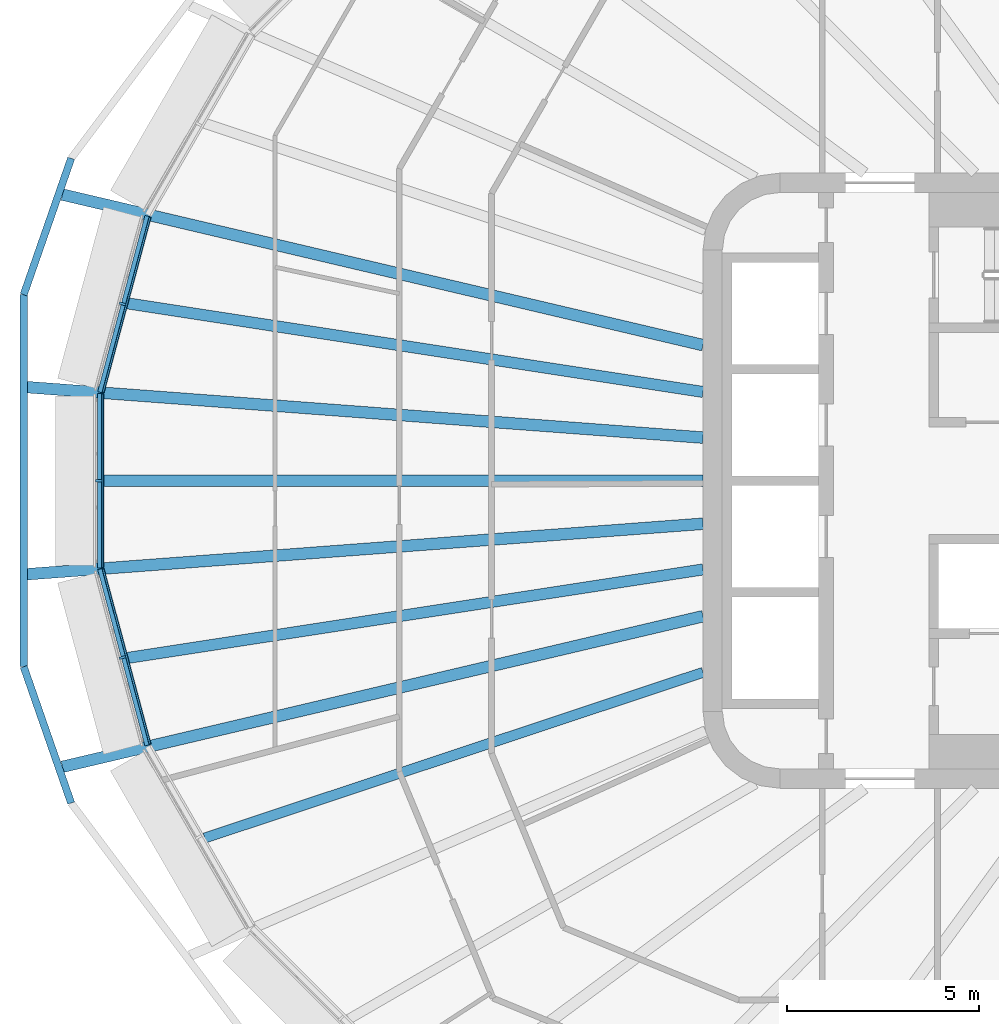
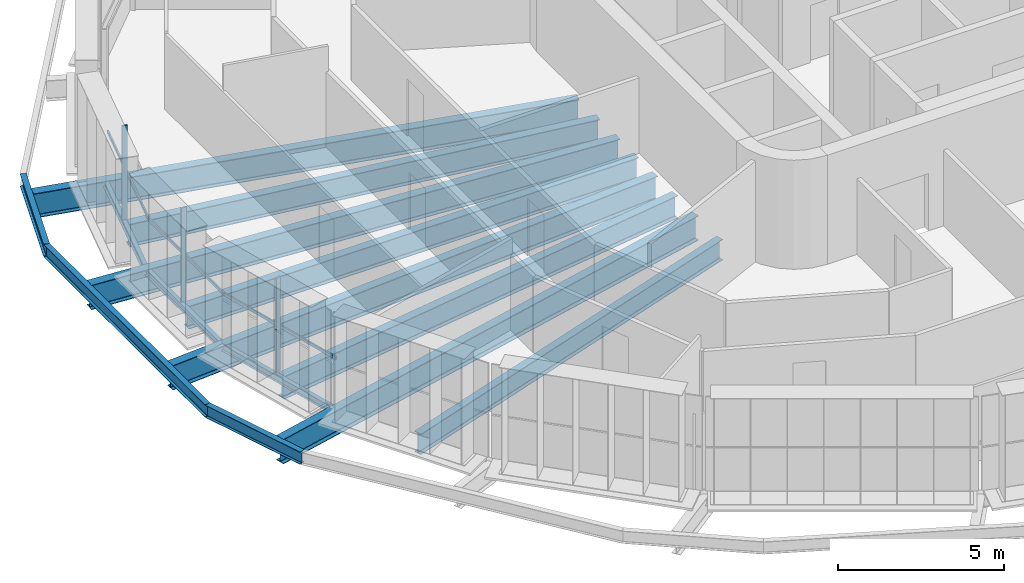
# One storey, part 2 of 21: 14 beams, 6 members, 3 elements without a shape of their own.
"""IFC4 building model written with IfcOpenShell, lengths in metres."""

from ifc_helpers import new_model, si_unit, direction, frame, origin, origin_2d, place, context, subcontext, project, spatial, rectangle, i_section, extrude, material, layer, layer_set, material_profile, profile_set, type_object, element, aggregate, save


model = new_model("IFC4")

# Units and contexts
model_context = context("Model", 3, precision=1e-05, world=origin(), true_north=direction((0.0, 1.0)))
body_context = subcontext(model_context, "Body", "Model", "MODEL_VIEW")
ifc_project = project(units=[si_unit("LENGTHUNIT", "METRE"), si_unit("AREAUNIT", "SQUARE_METRE"), si_unit("VOLUMEUNIT", "CUBIC_METRE"), si_unit("PLANEANGLEUNIT", "RADIAN"), si_unit("MASSUNIT", "GRAM", prefix="KILO")], contexts=[model_context])

# Site, building, storey
site_placement = place(None, origin())
site = spatial("IfcSite", under=ifc_project, at=site_placement, CompositionType="ELEMENT")
building_placement = place(site_placement, origin())
building = spatial("IfcBuilding", under=site, at=building_placement, Name="Sahrelin Media Tower", CompositionType="ELEMENT")
storey_placement = place(building_placement, frame((0.0, 0.0, 193.60009765625)))
storey = spatial("IfcBuildingStorey", under=building, at=storey_placement, Name="L41", CompositionType="ELEMENT", Elevation=193.60009765625)

# Beams
ifc_material_1 = material(Name="Steel S355", Category="steel")
ifc_material_profile_1 = material_profile(ifc_material_1, i_section(OverallWidth=0.14599609375, OverallDepth=0.25146484375, WebThickness=0.006103515625, FlangeThickness=0.008544921875, FilletRadius=0.007568359375, at=origin_2d()), Name="UB 254x146x31")
ifc_profile_set_1 = profile_set([ifc_material_profile_1], Name="Steel S355")
beam_type_1 = type_object("IfcBeamType", Name="Edge beam EB1", PredefinedType="BEAM", material=ifc_profile_set_1)
beam_1_placement = place(storey_placement, frame((-29.445068359375, -6.880615234375, -0.27587890625), z_axis=(-0.258840645059, 0.965920038339, 0.0), x_axis=(-0.965920038339, -0.258840645059, 0.0)))
element("IfcBeam", 1, at=beam_1_placement, inside=storey, type_object=beam_type_1, Name="Edge beam L41-12", PredefinedType="BEAM", context=body_context, shape_type="SweptSolid", body=[
    extrude(i_section(OverallWidth=0.14599609375, OverallDepth=0.25146484375, WebThickness=0.006103515625, FlangeThickness=0.008544921875, FilletRadius=0.007568359375, at=origin_2d()), origin(), (0.0, 0.0, 1.0), 4.746337890625),
])
beam_2_placement = place(storey_placement, frame((-30.67724609375, -2.267578125, -0.27587890625), z_axis=(0.0, 1.0, 0.0), x_axis=(-1.0, 0.0, 0.0)))
element("IfcBeam", 2, at=beam_2_placement, inside=storey, type_object=beam_type_1, Name="Edge beam L41-13", PredefinedType="BEAM", context=body_context, shape_type="SweptSolid", body=[
    extrude(i_section(OverallWidth=0.14599609375, OverallDepth=0.25146484375, WebThickness=0.006103515625, FlangeThickness=0.008544921875, FilletRadius=0.007568359375, at=origin_2d()), origin(), (0.0, 0.0, 1.0), 4.53515625),
])
beam_3_placement = place(storey_placement, frame((-30.673583984375, 2.296142578125, -0.27587890625), z_axis=(0.258840645059, 0.965920038339, 0.0), x_axis=(-0.965920038339, 0.258840645059, 0.0)))
element("IfcBeam", 3, at=beam_3_placement, inside=storey, type_object=beam_type_1, Name="Edge beam L41-14", PredefinedType="BEAM", context=body_context, shape_type="SweptSolid", body=[
    extrude(i_section(OverallWidth=0.14599609375, OverallDepth=0.25146484375, WebThickness=0.006103515625, FlangeThickness=0.008544921875, FilletRadius=0.007568359375, at=origin_2d()), origin(), (0.0, 0.0, 1.0), 4.746337890625),
])

# Curtain wall, member
ifc_material_2 = material(Name="Champagne anodised aluminium 6063-T6", Category="aluminium")
ifc_layer = layer(ifc_material_2, 0.14990234375)
ifc_layer_set = layer_set([ifc_layer], Name="Tower ribbon curtain wall")
curtain_wall_type = type_object("IfcCurtainWallType", Name="Tower ribbon curtain wall", PredefinedType="NOTDEFINED", material=ifc_layer_set)
curtain_wall_1_placement = place(storey_placement, frame((-30.2041015625, 4.627197265625, 0.0), z_axis=(0.0, 0.0, 1.0), x_axis=(1.0, 0.0, 0.0)))
curtain_wall_1 = element("IfcCurtainWall", 4, at=curtain_wall_1_placement, inside=storey, type_object=curtain_wall_type, Name="L41:CW:L41-11", PredefinedType="NOTDEFINED")
ifc_material_profile_2 = material_profile(ifc_material_2, rectangle(XDim=0.06005859375, YDim=0.175048828125, at=origin_2d()), Name="Mullion 60x175")
ifc_profile_set_2 = profile_set([ifc_material_profile_2], Name="Champagne anodised aluminium 6063-T6")
member_type_1 = type_object("IfcMemberType", Name="Mullion 60x175 CW1B", PredefinedType="MULLION", material=ifc_profile_set_2)
member_1_placement = place(storey_placement, frame((-30.100341796875, 4.599365234375, 0.0), z_axis=(0.0, 0.0, 1.0), x_axis=(-0.25882916024, -0.965923115889, 0.0)))
member_1 = element("IfcMember", 5, at=member_1_placement, type_object=member_type_1, Name="L41:CWM:L41-11", PredefinedType="MULLION", context=body_context, shape_type="SweptSolid", body=[
    extrude(rectangle(XDim=0.06005859375, YDim=0.175048828125, at=origin_2d()), origin(), (0.0, 0.0, 1.0), 3.448486328125),
])

curtain_wall_2_placement = place(storey_placement, frame((-30.827392578125, 0.0, 0.0), z_axis=(0.0, 0.0, 1.0), x_axis=(1.0, 0.0, 0.0)))
curtain_wall_2 = element("IfcCurtainWall", 6, at=curtain_wall_2_placement, inside=storey, type_object=curtain_wall_type, Name="L41:CW:L41-12", PredefinedType="NOTDEFINED")
member_2_placement = place(storey_placement, frame((-30.7197265625, 0.0, 0.0), z_axis=(0.0, 0.0, 1.0), x_axis=(0.0, -1.0, 0.0)))
member_2 = element("IfcMember", 7, at=member_2_placement, type_object=member_type_1, Name="L41:CWM:L41-12", PredefinedType="MULLION", context=body_context, shape_type="SweptSolid", body=[
    extrude(rectangle(XDim=0.06005859375, YDim=0.175048828125, at=origin_2d()), origin(), (0.0, 0.0, 1.0), 3.448486328125),
])

curtain_wall_3_placement = place(storey_placement, frame((-30.2041015625, -4.627197265625, 0.0), z_axis=(0.0, 0.0, 1.0), x_axis=(1.0, 0.0, 0.0)))
curtain_wall_3 = element("IfcCurtainWall", 8, at=curtain_wall_3_placement, inside=storey, type_object=curtain_wall_type, Name="L41:CW:L41-13", PredefinedType="NOTDEFINED")
member_3_placement = place(storey_placement, frame((-30.100341796875, -4.599365234375, 0.0), z_axis=(0.0, 0.0, 1.0), x_axis=(0.25882916024, -0.965923115889, 0.0)))
member_3 = element("IfcMember", 9, at=member_3_placement, type_object=member_type_1, Name="L41:CWM:L41-13", PredefinedType="MULLION", context=body_context, shape_type="SweptSolid", body=[
    extrude(rectangle(XDim=0.06005859375, YDim=0.175048828125, at=origin_2d()), origin(), (0.0, 0.0, 1.0), 3.448486328125),
])

# Beams
ifc_material_profile_3 = material_profile(ifc_material_1, i_section(OverallWidth=0.30322265625, OverallDepth=0.903076171875, WebThickness=0.01513671875, FlangeThickness=0.020263671875, FilletRadius=0.01904296875, at=origin_2d()), Name="UB 914x305x201")
ifc_profile_set_3 = profile_set([ifc_material_profile_3], Name="Steel S355")
beam_type_2 = type_object("IfcBeamType", Name="Radial primary beam PB11", PredefinedType="BEAM", material=ifc_profile_set_3)
beam_4_placement = place(storey_placement, frame((-15.0, 3.525390625, -0.6015625), z_axis=(-0.973472324419, 0.228804793635, 0.0), x_axis=(-0.228804793635, -0.973472324419, 0.0)))
element("IfcBeam", 10, at=beam_4_placement, inside=storey, type_object=beam_type_2, Name="Radial beam L41-11", PredefinedType="BEAM", context=body_context, shape_type="SweptSolid", body=[
    extrude(i_section(OverallWidth=0.30322265625, OverallDepth=0.903076171875, WebThickness=0.01513671875, FlangeThickness=0.020263671875, FilletRadius=0.01904296875, at=origin_2d()), origin(), (0.0, 0.0, 1.0), 17.1162109375),
])
for number, where, z_axis, x_axis, name in (
    (11, (-15.0, 1.1201171875, -0.6015625), (-0.997223922817, 0.074461048623, 0.0), (-0.074461048623, -0.997223922817, 0.0), "Radial beam L41-12"),
    (12, (-15.0, -1.1201171875, -0.6015625), (-0.997223922817, -0.074461048623, 0.0), (0.074461048623, -0.997223922817, 0.0), "Radial beam L41-13"),
):
    element("IfcBeam", number, at=place(storey_placement, frame(where, z_axis=z_axis, x_axis=x_axis)), inside=storey, type_object=beam_type_2, Name=name, PredefinedType="BEAM", context=body_context, shape_type="SweptSolid", body=[
        extrude(i_section(OverallWidth=0.30322265625, OverallDepth=0.903076171875, WebThickness=0.01513671875, FlangeThickness=0.020263671875, FilletRadius=0.01904296875, at=origin_2d()), origin(), (0.0, 0.0, 1.0), 17.623291015625),
    ])
beam_5_placement = place(storey_placement, frame((-15.0, -3.525390625, -0.6015625), z_axis=(-0.973472324419, -0.228804793635, 0.0), x_axis=(0.228804793635, -0.973472324419, 0.0)))
element("IfcBeam", 13, at=beam_5_placement, inside=storey, type_object=beam_type_2, Name="Radial beam L41-14", PredefinedType="BEAM", context=body_context, shape_type="SweptSolid", body=[
    extrude(i_section(OverallWidth=0.30322265625, OverallDepth=0.903076171875, WebThickness=0.01513671875, FlangeThickness=0.020263671875, FilletRadius=0.01904296875, at=origin_2d()), origin(), (0.0, 0.0, 1.0), 17.1162109375),
])
ifc_material_profile_4 = material_profile(ifc_material_1, i_section(OverallWidth=0.291748046875, OverallDepth=0.8349609375, WebThickness=0.013916015625, FlangeThickness=0.018798828125, FilletRadius=0.017822265625, at=origin_2d()), Name="UB 838x292x176")
ifc_profile_set_4 = profile_set([ifc_material_profile_4], Name="Steel S355")
beam_type_3 = type_object("IfcBeamType", Name="Radial secondary beam SB10", PredefinedType="BEAM", material=ifc_profile_set_4)
beam_6_placement = place(storey_placement, frame((-15.0, 2.308349609375, -0.567626953125), z_axis=(-0.988366481837, 0.152091083176, 0.0), x_axis=(-0.152091083176, -0.988366481837, 0.0)))
element("IfcBeam", 14, at=beam_6_placement, inside=storey, type_object=beam_type_3, Name="Secondary beam L41-11", PredefinedType="BEAM", context=body_context, shape_type="SweptSolid", body=[
    extrude(i_section(OverallWidth=0.291748046875, OverallDepth=0.8349609375, WebThickness=0.013916015625, FlangeThickness=0.018798828125, FilletRadius=0.017822265625, at=origin_2d()), origin(), (0.0, 0.0, 1.0), 15.1533203125),
])
beam_7_placement = place(storey_placement, frame((-15.0, 0.0, -0.567626953125), z_axis=(-1.0, 0.0, 0.0), x_axis=(0.0, -1.0, 0.0)))
element("IfcBeam", 15, at=beam_7_placement, inside=storey, type_object=beam_type_3, Name="Secondary beam L41-12", PredefinedType="BEAM", context=body_context, shape_type="SweptSolid", body=[
    extrude(i_section(OverallWidth=0.291748046875, OverallDepth=0.8349609375, WebThickness=0.013916015625, FlangeThickness=0.018798828125, FilletRadius=0.017822265625, at=origin_2d()), origin(), (0.0, 0.0, 1.0), 15.604248046875),
])
beam_8_placement = place(storey_placement, frame((-15.0, -2.308349609375, -0.567626953125), z_axis=(-0.988366481837, -0.152091083176, 0.0), x_axis=(0.152091083176, -0.988366481837, 0.0)))
element("IfcBeam", 16, at=beam_8_placement, inside=storey, type_object=beam_type_3, Name="Secondary beam L41-13", PredefinedType="BEAM", context=body_context, shape_type="SweptSolid", body=[
    extrude(i_section(OverallWidth=0.291748046875, OverallDepth=0.8349609375, WebThickness=0.013916015625, FlangeThickness=0.018798828125, FilletRadius=0.017822265625, at=origin_2d()), origin(), (0.0, 0.0, 1.0), 15.1533203125),
])
ifc_material_profile_5 = material_profile(ifc_material_1, i_section(OverallWidth=0.26513671875, OverallDepth=0.75390625, WebThickness=0.0126953125, FlangeThickness=0.017578125, FilletRadius=0.0166015625, at=origin_2d()), Name="UB 762x267x147")
ifc_profile_set_5 = profile_set([ifc_material_profile_5], Name="Steel S355")
beam_type_4 = type_object("IfcBeamType", Name="Radial secondary beam SB9", PredefinedType="BEAM", material=ifc_profile_set_5)
beam_9_placement = place(storey_placement, frame((-15.0, -4.986083984375, -0.527099609375), z_axis=(-0.948949304443, -0.315428625204, 0.0), x_axis=(0.315428625204, -0.948949304443, 0.0)))
element("IfcBeam", 17, at=beam_9_placement, inside=storey, type_object=beam_type_4, Name="Secondary beam L41-14", PredefinedType="BEAM", context=body_context, shape_type="SweptSolid", body=[
    extrude(i_section(OverallWidth=0.26513671875, OverallDepth=0.75390625, WebThickness=0.0126953125, FlangeThickness=0.017578125, FilletRadius=0.0166015625, at=origin_2d()), origin(), (0.0, 0.0, 1.0), 13.657958984375),
])
ifc_material_profile_6 = material_profile(ifc_material_1, i_section(OverallWidth=0.1904296875, OverallDepth=0.45703125, WebThickness=0.009033203125, FlangeThickness=0.014404296875, FilletRadius=0.01025390625, at=origin_2d()), Name="UB 457x191x74")
ifc_profile_set_6 = profile_set([ifc_material_profile_6], Name="Steel S355")
beam_type_5 = type_object("IfcBeamType", Name="Tie chord TC5", PredefinedType="BEAM", material=ifc_profile_set_6)
beam_10_placement = place(storey_placement, frame((-31.434814453125, 8.384033203125, -0.378662109375), z_axis=(-0.328777768926, -0.944407316077, 0.0), x_axis=(0.944407316077, -0.328777768926, 0.0)))
element("IfcBeam", 18, at=beam_10_placement, inside=storey, type_object=beam_type_5, Name="Tie chord L41-11", PredefinedType="BEAM", context=body_context, shape_type="SweptSolid", body=[
    extrude(i_section(OverallWidth=0.1904296875, OverallDepth=0.45703125, WebThickness=0.009033203125, FlangeThickness=0.014404296875, FilletRadius=0.01025390625, at=origin_2d()), origin(), (0.0, 0.0, 1.0), 3.755859375),
])
beam_11_placement = place(storey_placement, frame((-32.669677734375, 4.8369140625, -0.378662109375), z_axis=(0.0, -1.0, 0.0), x_axis=(1.0, 0.0, 0.0)))
element("IfcBeam", 19, at=beam_11_placement, inside=storey, type_object=beam_type_5, Name="Tie chord L41-12", PredefinedType="BEAM", context=body_context, shape_type="SweptSolid", body=[
    extrude(i_section(OverallWidth=0.1904296875, OverallDepth=0.45703125, WebThickness=0.009033203125, FlangeThickness=0.014404296875, FilletRadius=0.01025390625, at=origin_2d()), origin(), (0.0, 0.0, 1.0), 9.673828125),
])
beam_12_placement = place(storey_placement, frame((-32.669677734375, -4.8369140625, -0.378662109375), z_axis=(0.328777768926, -0.944407316077, 0.0), x_axis=(0.944407316077, 0.328777768926, 0.0)))
element("IfcBeam", 20, at=beam_12_placement, inside=storey, type_object=beam_type_5, Name="Tie chord L41-13", PredefinedType="BEAM", context=body_context, shape_type="SweptSolid", body=[
    extrude(i_section(OverallWidth=0.1904296875, OverallDepth=0.45703125, WebThickness=0.009033203125, FlangeThickness=0.014404296875, FilletRadius=0.01025390625, at=origin_2d()), origin(), (0.0, 0.0, 1.0), 3.755859375),
])

# Member
ifc_material_profile_7 = material_profile(ifc_material_2, rectangle(XDim=0.050048828125, YDim=0.110107421875, at=origin_2d()), Name="Transom 50x110")
ifc_profile_set_7 = profile_set([ifc_material_profile_7], Name="Champagne anodised aluminium 6063-T6")
member_type_2 = type_object("IfcMemberType", Name="Transom 50x110 CW1B", PredefinedType="USERDEFINED", material=ifc_profile_set_7)
member_4_placement = place(storey_placement, frame((-29.381591796875, 6.847412109375, 1.599853515625), z_axis=(-0.258803380373, -0.965930023505, 0.0), x_axis=(0.965930023505, -0.258803380373, 0.0)))
member_4 = element("IfcMember", 21, at=member_4_placement, type_object=member_type_2, Name="L41:CWT:L41-11", ObjectType="TRANSOM", PredefinedType="USERDEFINED", context=body_context, shape_type="SweptSolid", body=[
    extrude(rectangle(XDim=0.050048828125, YDim=0.110107421875, at=origin_2d()), origin(), (0.0, 0.0, 1.0), 4.71484375),
])

aggregate(curtain_wall_1, [member_1, member_4])

member_5_placement = place(storey_placement, frame((-30.607421875, 2.251708984375, 1.599853515625), z_axis=(0.0, -1.0, 0.0), x_axis=(1.0, 0.0, 0.0)))
member_5 = element("IfcMember", 22, at=member_5_placement, type_object=member_type_2, Name="L41:CWT:L41-12", ObjectType="TRANSOM", PredefinedType="USERDEFINED", context=body_context, shape_type="SweptSolid", body=[
    extrude(rectangle(XDim=0.050048828125, YDim=0.110107421875, at=origin_2d()), origin(), (0.0, 0.0, 1.0), 4.50341796875),
])

aggregate(curtain_wall_2, [member_2, member_5])

member_6_placement = place(storey_placement, frame((-30.601806640625, -2.293212890625, 1.599853515625), z_axis=(0.258803380373, -0.965930023505, 0.0), x_axis=(0.965930023505, 0.258803380373, 0.0)))
member_6 = element("IfcMember", 23, at=member_6_placement, type_object=member_type_2, Name="L41:CWT:L41-13", ObjectType="TRANSOM", PredefinedType="USERDEFINED", context=body_context, shape_type="SweptSolid", body=[
    extrude(rectangle(XDim=0.050048828125, YDim=0.110107421875, at=origin_2d()), origin(), (0.0, 0.0, 1.0), 4.71484375),
])

aggregate(curtain_wall_3, [member_3, member_6])

save(model, "model.ifc")
